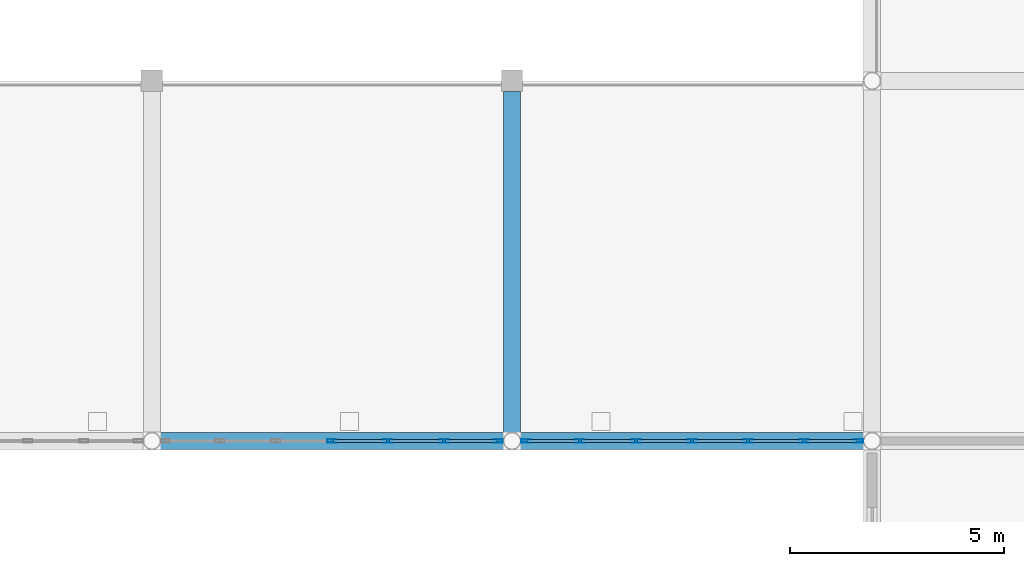
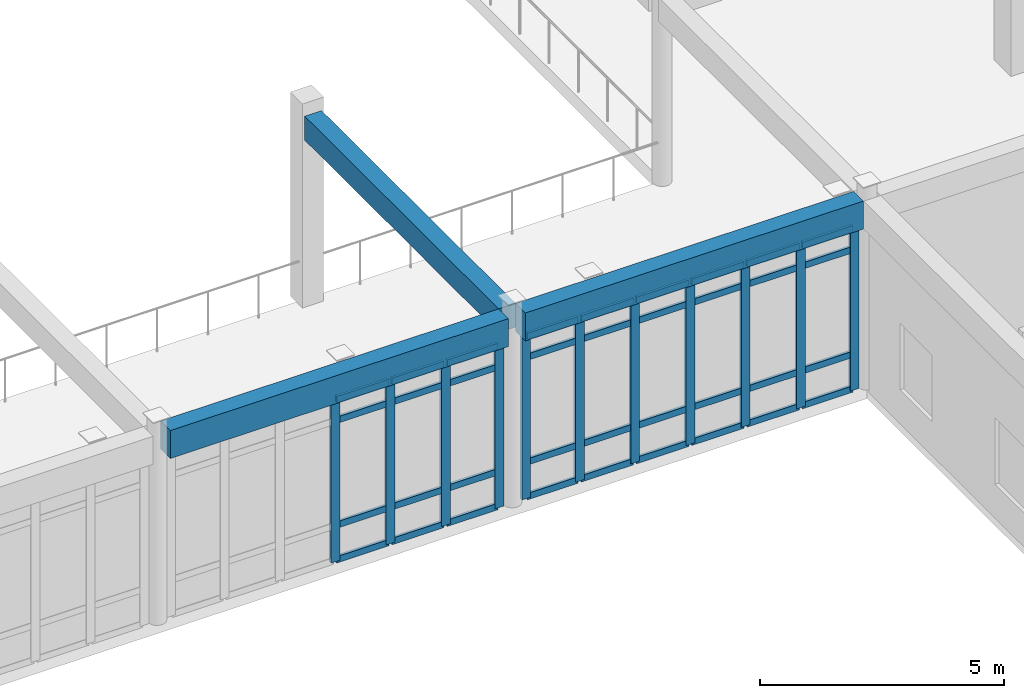
# One storey, part 21 of 134: 47 members, 3 beams, 2 elements without a shape of their own.
"""IFC4 building model written with IfcOpenShell, lengths in metres."""

from ifc_helpers import new_model, si_unit, direction, frame, origin, origin_2d, place, context, subcontext, project, spatial, rectangle, hollow_rectangle, extrude, material, layer, layer_set, material_profile, profile_set, type_object, element, aggregate, save


model = new_model("IFC4")

# Units and contexts
model_context = context("Model", 3, precision=1e-05, world=origin(), true_north=direction((0.0, 1.0)))
body_context = subcontext(model_context, "Body", "Model", "MODEL_VIEW")
ifc_project = project(units=[si_unit("LENGTHUNIT", "METRE"), si_unit("AREAUNIT", "SQUARE_METRE"), si_unit("VOLUMEUNIT", "CUBIC_METRE"), si_unit("PLANEANGLEUNIT", "RADIAN"), si_unit("MASSUNIT", "GRAM", prefix="KILO")], contexts=[model_context])

# Site, building, storey
site_placement = place(None, origin())
site = spatial("IfcSite", under=ifc_project, at=site_placement, CompositionType="ELEMENT")
building_placement = place(site_placement, origin())
building = spatial("IfcBuilding", under=site, at=building_placement, Name="Bramfleet General Hospital", CompositionType="ELEMENT")
storey_placement = place(building_placement, frame((0.0, 0.0, 9.300048828125)))
storey = spatial("IfcBuildingStorey", under=building, at=storey_placement, Name="L02", CompositionType="ELEMENT", Elevation=9.300048828125)

# Beams
ifc_material_1 = material(Name="Concrete C35/45", Category="concrete")
ifc_material_profile_1 = material_profile(ifc_material_1, rectangle(XDim=0.39990234375, YDim=0.60009765625, at=origin_2d()), Name="RC BM 600x400")
ifc_profile_set_1 = profile_set([ifc_material_profile_1], Name="Concrete C35/45")
beam_type_1 = type_object("IfcBeamType", Name="BM-RC600", PredefinedType="BEAM", material=ifc_profile_set_1)
beam_placement = place(storey_placement, frame((84.0, 17.003173828125, 4.47998046875), z_axis=(0.0, 1.0, 0.0), x_axis=(-1.0, 0.0, 0.0)))
element("IfcBeam", 1, at=beam_placement, inside=storey, type_object=beam_type_1, Name="L02 Grid Beam Y 10-02", PredefinedType="BEAM", context=body_context, shape_type="SweptSolid", body=[
    extrude(rectangle(XDim=0.39990234375, YDim=0.60009765625, at=origin_2d()), origin(), (0.0, 0.0, 1.0), 7.94677734375),
])
ifc_material_profile_2 = material_profile(ifc_material_1, rectangle(XDim=0.39990234375, YDim=0.699951171875, at=origin_2d()), Name="RC SP 700x400")
ifc_profile_set_2 = profile_set([ifc_material_profile_2], Name="Concrete C35/45")
beam_type_2 = type_object("IfcBeamType", Name="BM-SP700", PredefinedType="SPANDREL", material=ifc_profile_set_2)
for number, where, z_axis, x_axis, name in (
    (2, (75.80322265625, 16.800048828125, 4.429931640625), (1.0, 0.0, 0.0), (0.0, 1.0, 0.0), "L02 Grid Beam X 09-02"),
    (3, (84.203125, 16.800048828125, 4.429931640625), (1.0, 0.0, 0.0), (0.0, 1.0, 0.0), "L02 Grid Beam X 10-02"),
):
    element("IfcBeam", number, at=place(storey_placement, frame(where, z_axis=z_axis, x_axis=x_axis)), inside=storey, type_object=beam_type_2, Name=name, PredefinedType="SPANDREL", context=body_context, shape_type="SweptSolid", body=[
        extrude(rectangle(XDim=0.39990234375, YDim=0.699951171875, at=origin_2d()), origin(), (0.0, 0.0, 1.0), 7.99365234375),
    ])

# Curtain wall, members
ifc_material_2 = material(Name="Anodised aluminium and low-E triple glazing", Category="aluminium")
ifc_layer_1 = layer(ifc_material_2, 0.179931640625, Name="CWT-CW-03")
ifc_layer_set_1 = layer_set([ifc_layer_1], Name="Anodised aluminium and low-E triple glazing")
curtain_wall_type_1 = type_object("IfcCurtainWallType", Name="CWT-CW-03", PredefinedType="USERDEFINED", material=ifc_layer_set_1)
curtain_wall_1_placement = place(storey_placement, origin())
curtain_wall_1 = element("IfcCurtainWall", 4, at=curtain_wall_1_placement, inside=storey, type_object=curtain_wall_type_1, Name="L02 Curtain Wall 129", ObjectType="Unitised curtain wall", PredefinedType="USERDEFINED")
ifc_material_3 = material(Name="Anodised aluminium EN AW-6060", Category="aluminium")
ifc_material_profile_3 = material_profile(ifc_material_3, hollow_rectangle(XDim=0.074951171875, YDim=0.2099609375, WallThickness=0.00439453125, at=origin_2d()), Name="ALU 210x75x4.5")
ifc_profile_set_3 = profile_set([ifc_material_profile_3], Name="Anodised aluminium EN AW-6060")
member_type_1 = type_object("IfcMemberType", Name="CWM-ALU210", PredefinedType="MULLION", material=ifc_profile_set_3)
member_1_placement = place(storey_placement, frame((92.08447265625, 16.800048828125, 0.0), z_axis=(0.0, 0.0, 1.0), x_axis=(0.0, -1.0, 0.0)))
member_1 = element("IfcMember", 5, at=member_1_placement, type_object=member_type_1, Name="CW-03 mullion 1", PredefinedType="MULLION", context=body_context, shape_type="SweptSolid", body=[
    extrude(hollow_rectangle(XDim=0.074951171875, YDim=0.2099609375, WallThickness=0.00439453125, at=origin_2d()), origin(), (0.0, 0.0, 1.0), 4.070068359375),
])
member_2_placement = place(storey_placement, frame((90.814697265625, 16.800048828125, 0.0), z_axis=(0.0, 0.0, 1.0), x_axis=(0.0, -1.0, 0.0)))
member_2 = element("IfcMember", 6, at=member_2_placement, type_object=member_type_1, Name="CW-03 mullion 2", PredefinedType="MULLION", context=body_context, shape_type="SweptSolid", body=[
    extrude(hollow_rectangle(XDim=0.074951171875, YDim=0.2099609375, WallThickness=0.00439453125, at=origin_2d()), origin(), (0.0, 0.0, 1.0), 4.070068359375),
])
member_3_placement = place(storey_placement, frame((89.50732421875, 16.800048828125, 0.0), z_axis=(0.0, 0.0, 1.0), x_axis=(0.0, -1.0, 0.0)))
member_3 = element("IfcMember", 7, at=member_3_placement, type_object=member_type_1, Name="CW-03 mullion 3", PredefinedType="MULLION", context=body_context, shape_type="SweptSolid", body=[
    extrude(hollow_rectangle(XDim=0.074951171875, YDim=0.2099609375, WallThickness=0.00439453125, at=origin_2d()), origin(), (0.0, 0.0, 1.0), 4.070068359375),
])
member_4_placement = place(storey_placement, frame((88.199951171875, 16.800048828125, 0.0), z_axis=(0.0, 0.0, 1.0), x_axis=(0.0, -1.0, 0.0)))
member_4 = element("IfcMember", 8, at=member_4_placement, type_object=member_type_1, Name="CW-03 mullion 4", PredefinedType="MULLION", context=body_context, shape_type="SweptSolid", body=[
    extrude(hollow_rectangle(XDim=0.074951171875, YDim=0.2099609375, WallThickness=0.00439453125, at=origin_2d()), origin(), (0.0, 0.0, 1.0), 4.070068359375),
])
member_5_placement = place(storey_placement, frame((86.892578125, 16.800048828125, 0.0), z_axis=(0.0, 0.0, 1.0), x_axis=(0.0, -1.0, 0.0)))
member_5 = element("IfcMember", 9, at=member_5_placement, type_object=member_type_1, Name="CW-03 mullion 5", PredefinedType="MULLION", context=body_context, shape_type="SweptSolid", body=[
    extrude(hollow_rectangle(XDim=0.074951171875, YDim=0.2099609375, WallThickness=0.00439453125, at=origin_2d()), origin(), (0.0, 0.0, 1.0), 4.070068359375),
])
member_6_placement = place(storey_placement, frame((85.58544921875, 16.800048828125, 0.0), z_axis=(0.0, 0.0, 1.0), x_axis=(0.0, -1.0, 0.0)))
member_6 = element("IfcMember", 10, at=member_6_placement, type_object=member_type_1, Name="CW-03 mullion 6", PredefinedType="MULLION", context=body_context, shape_type="SweptSolid", body=[
    extrude(hollow_rectangle(XDim=0.074951171875, YDim=0.2099609375, WallThickness=0.00439453125, at=origin_2d()), origin(), (0.0, 0.0, 1.0), 4.070068359375),
])
member_7_placement = place(storey_placement, frame((84.3154296875, 16.800048828125, 0.0), z_axis=(0.0, 0.0, 1.0), x_axis=(0.0, -1.0, 0.0)))
member_7 = element("IfcMember", 11, at=member_7_placement, type_object=member_type_1, Name="CW-03 mullion 7", PredefinedType="MULLION", context=body_context, shape_type="SweptSolid", body=[
    extrude(hollow_rectangle(XDim=0.074951171875, YDim=0.2099609375, WallThickness=0.00439453125, at=origin_2d()), origin(), (0.0, 0.0, 1.0), 4.070068359375),
])

ifc_layer_2 = layer(ifc_material_2, 0.179931640625, Name="CWT-CW-04")
ifc_layer_set_2 = layer_set([ifc_layer_2], Name="Anodised aluminium and low-E triple glazing")
curtain_wall_type_2 = type_object("IfcCurtainWallType", Name="CWT-CW-04", PredefinedType="USERDEFINED", material=ifc_layer_set_2)
curtain_wall_2_placement = place(storey_placement, origin())
curtain_wall_2 = element("IfcCurtainWall", 12, at=curtain_wall_2_placement, inside=storey, type_object=curtain_wall_type_2, Name="L02 Curtain Wall 130", ObjectType="Unitised curtain wall", PredefinedType="USERDEFINED")
member_8_placement = place(storey_placement, frame((83.6845703125, 16.800048828125, 0.0), z_axis=(0.0, 0.0, 1.0), x_axis=(0.0, -1.0, 0.0)))
member_8 = element("IfcMember", 13, at=member_8_placement, type_object=member_type_1, Name="CW-04 mullion 1", PredefinedType="MULLION", context=body_context, shape_type="SweptSolid", body=[
    extrude(hollow_rectangle(XDim=0.074951171875, YDim=0.2099609375, WallThickness=0.00439453125, at=origin_2d()), origin(), (0.0, 0.0, 1.0), 4.070068359375),
])
member_9_placement = place(storey_placement, frame((82.41455078125, 16.800048828125, 0.0), z_axis=(0.0, 0.0, 1.0), x_axis=(0.0, -1.0, 0.0)))
member_9 = element("IfcMember", 14, at=member_9_placement, type_object=member_type_1, Name="CW-04 mullion 2", PredefinedType="MULLION", context=body_context, shape_type="SweptSolid", body=[
    extrude(hollow_rectangle(XDim=0.074951171875, YDim=0.2099609375, WallThickness=0.00439453125, at=origin_2d()), origin(), (0.0, 0.0, 1.0), 4.070068359375),
])
member_10_placement = place(storey_placement, frame((81.107421875, 16.800048828125, 0.0), z_axis=(0.0, 0.0, 1.0), x_axis=(0.0, -1.0, 0.0)))
member_10 = element("IfcMember", 15, at=member_10_placement, type_object=member_type_1, Name="CW-04 mullion 3", PredefinedType="MULLION", context=body_context, shape_type="SweptSolid", body=[
    extrude(hollow_rectangle(XDim=0.074951171875, YDim=0.2099609375, WallThickness=0.00439453125, at=origin_2d()), origin(), (0.0, 0.0, 1.0), 4.070068359375),
])
member_11_placement = place(storey_placement, frame((79.800048828125, 16.800048828125, 0.0), z_axis=(0.0, 0.0, 1.0), x_axis=(0.0, -1.0, 0.0)))
member_11 = element("IfcMember", 16, at=member_11_placement, type_object=member_type_1, Name="CW-04 mullion 4", PredefinedType="MULLION", context=body_context, shape_type="SweptSolid", body=[
    extrude(hollow_rectangle(XDim=0.074951171875, YDim=0.2099609375, WallThickness=0.00439453125, at=origin_2d()), origin(), (0.0, 0.0, 1.0), 4.070068359375),
])

# Member
ifc_material_profile_4 = material_profile(ifc_material_3, hollow_rectangle(XDim=0.06494140625, YDim=0.159912109375, WallThickness=0.00390625, at=origin_2d()), Name="ALU 160x65x4.0")
ifc_profile_set_4 = profile_set([ifc_material_profile_4], Name="Anodised aluminium EN AW-6060")
member_type_2 = type_object("IfcMemberType", Name="CWT-ALU160", PredefinedType="USERDEFINED", material=ifc_profile_set_4)
member_12_placement = place(storey_placement, frame((92.047119140625, 16.800048828125, 0.032470703125), z_axis=(-1.0, 0.0, 0.0), x_axis=(0.0, -1.0, 0.0)))
member_12 = element("IfcMember", 17, at=member_12_placement, type_object=member_type_2, Name="CW-03 transom 1.1", ObjectType="TRANSOM", PredefinedType="USERDEFINED", context=body_context, shape_type="SweptSolid", body=[
    extrude(hollow_rectangle(XDim=0.06494140625, YDim=0.159912109375, WallThickness=0.00390625, at=origin_2d()), origin(), (0.0, 0.0, 1.0), 1.195068359375),
])

member_13_placement = place(storey_placement, frame((92.047119140625, 16.800048828125, 0.89990234375), z_axis=(-1.0, 0.0, 0.0), x_axis=(0.0, -1.0, 0.0)))
member_13 = element("IfcMember", 18, at=member_13_placement, type_object=member_type_2, Name="CW-03 transom 1.2", ObjectType="TRANSOM", PredefinedType="USERDEFINED", context=body_context, shape_type="SweptSolid", body=[
    extrude(hollow_rectangle(XDim=0.06494140625, YDim=0.159912109375, WallThickness=0.00390625, at=origin_2d()), origin(), (0.0, 0.0, 1.0), 1.195068359375),
])

member_14_placement = place(storey_placement, frame((92.047119140625, 16.800048828125, 3.52001953125), z_axis=(-1.0, 0.0, 0.0), x_axis=(0.0, -1.0, 0.0)))
member_14 = element("IfcMember", 19, at=member_14_placement, type_object=member_type_2, Name="CW-03 transom 1.3", ObjectType="TRANSOM", PredefinedType="USERDEFINED", context=body_context, shape_type="SweptSolid", body=[
    extrude(hollow_rectangle(XDim=0.06494140625, YDim=0.159912109375, WallThickness=0.00390625, at=origin_2d()), origin(), (0.0, 0.0, 1.0), 1.195068359375),
])

member_15_placement = place(storey_placement, frame((92.047119140625, 16.800048828125, 4.037353515625), z_axis=(-1.0, 0.0, 0.0), x_axis=(0.0, -1.0, 0.0)))
member_15 = element("IfcMember", 20, at=member_15_placement, type_object=member_type_2, Name="CW-03 transom 1.4", ObjectType="TRANSOM", PredefinedType="USERDEFINED", context=body_context, shape_type="SweptSolid", body=[
    extrude(hollow_rectangle(XDim=0.06494140625, YDim=0.159912109375, WallThickness=0.00390625, at=origin_2d()), origin(), (0.0, 0.0, 1.0), 1.195068359375),
])

member_16_placement = place(storey_placement, frame((90.777099609375, 16.800048828125, 0.032470703125), z_axis=(-1.0, 0.0, 0.0), x_axis=(0.0, -1.0, 0.0)))
member_16 = element("IfcMember", 21, at=member_16_placement, type_object=member_type_2, Name="CW-03 transom 2.1", ObjectType="TRANSOM", PredefinedType="USERDEFINED", context=body_context, shape_type="SweptSolid", body=[
    extrude(hollow_rectangle(XDim=0.06494140625, YDim=0.159912109375, WallThickness=0.00390625, at=origin_2d()), origin(), (0.0, 0.0, 1.0), 1.232177734375),
])

member_17_placement = place(storey_placement, frame((90.777099609375, 16.800048828125, 0.89990234375), z_axis=(-1.0, 0.0, 0.0), x_axis=(0.0, -1.0, 0.0)))
member_17 = element("IfcMember", 22, at=member_17_placement, type_object=member_type_2, Name="CW-03 transom 2.2", ObjectType="TRANSOM", PredefinedType="USERDEFINED", context=body_context, shape_type="SweptSolid", body=[
    extrude(hollow_rectangle(XDim=0.06494140625, YDim=0.159912109375, WallThickness=0.00390625, at=origin_2d()), origin(), (0.0, 0.0, 1.0), 1.232177734375),
])

member_18_placement = place(storey_placement, frame((90.777099609375, 16.800048828125, 3.52001953125), z_axis=(-1.0, 0.0, 0.0), x_axis=(0.0, -1.0, 0.0)))
member_18 = element("IfcMember", 23, at=member_18_placement, type_object=member_type_2, Name="CW-03 transom 2.3", ObjectType="TRANSOM", PredefinedType="USERDEFINED", context=body_context, shape_type="SweptSolid", body=[
    extrude(hollow_rectangle(XDim=0.06494140625, YDim=0.159912109375, WallThickness=0.00390625, at=origin_2d()), origin(), (0.0, 0.0, 1.0), 1.232177734375),
])

member_19_placement = place(storey_placement, frame((90.777099609375, 16.800048828125, 4.037353515625), z_axis=(-1.0, 0.0, 0.0), x_axis=(0.0, -1.0, 0.0)))
member_19 = element("IfcMember", 24, at=member_19_placement, type_object=member_type_2, Name="CW-03 transom 2.4", ObjectType="TRANSOM", PredefinedType="USERDEFINED", context=body_context, shape_type="SweptSolid", body=[
    extrude(hollow_rectangle(XDim=0.06494140625, YDim=0.159912109375, WallThickness=0.00390625, at=origin_2d()), origin(), (0.0, 0.0, 1.0), 1.232177734375),
])

member_20_placement = place(storey_placement, frame((89.4697265625, 16.800048828125, 0.032470703125), z_axis=(-1.0, 0.0, 0.0), x_axis=(0.0, -1.0, 0.0)))
member_20 = element("IfcMember", 25, at=member_20_placement, type_object=member_type_2, Name="CW-03 transom 3.1", ObjectType="TRANSOM", PredefinedType="USERDEFINED", context=body_context, shape_type="SweptSolid", body=[
    extrude(hollow_rectangle(XDim=0.06494140625, YDim=0.159912109375, WallThickness=0.00390625, at=origin_2d()), origin(), (0.0, 0.0, 1.0), 1.232177734375),
])

member_21_placement = place(storey_placement, frame((89.4697265625, 16.800048828125, 0.89990234375), z_axis=(-1.0, 0.0, 0.0), x_axis=(0.0, -1.0, 0.0)))
member_21 = element("IfcMember", 26, at=member_21_placement, type_object=member_type_2, Name="CW-03 transom 3.2", ObjectType="TRANSOM", PredefinedType="USERDEFINED", context=body_context, shape_type="SweptSolid", body=[
    extrude(hollow_rectangle(XDim=0.06494140625, YDim=0.159912109375, WallThickness=0.00390625, at=origin_2d()), origin(), (0.0, 0.0, 1.0), 1.232177734375),
])

member_22_placement = place(storey_placement, frame((89.4697265625, 16.800048828125, 3.52001953125), z_axis=(-1.0, 0.0, 0.0), x_axis=(0.0, -1.0, 0.0)))
member_22 = element("IfcMember", 27, at=member_22_placement, type_object=member_type_2, Name="CW-03 transom 3.3", ObjectType="TRANSOM", PredefinedType="USERDEFINED", context=body_context, shape_type="SweptSolid", body=[
    extrude(hollow_rectangle(XDim=0.06494140625, YDim=0.159912109375, WallThickness=0.00390625, at=origin_2d()), origin(), (0.0, 0.0, 1.0), 1.232177734375),
])

member_23_placement = place(storey_placement, frame((89.4697265625, 16.800048828125, 4.037353515625), z_axis=(-1.0, 0.0, 0.0), x_axis=(0.0, -1.0, 0.0)))
member_23 = element("IfcMember", 28, at=member_23_placement, type_object=member_type_2, Name="CW-03 transom 3.4", ObjectType="TRANSOM", PredefinedType="USERDEFINED", context=body_context, shape_type="SweptSolid", body=[
    extrude(hollow_rectangle(XDim=0.06494140625, YDim=0.159912109375, WallThickness=0.00390625, at=origin_2d()), origin(), (0.0, 0.0, 1.0), 1.232177734375),
])

member_24_placement = place(storey_placement, frame((88.16259765625, 16.800048828125, 0.032470703125), z_axis=(-1.0, 0.0, 0.0), x_axis=(0.0, -1.0, 0.0)))
member_24 = element("IfcMember", 29, at=member_24_placement, type_object=member_type_2, Name="CW-03 transom 4.1", ObjectType="TRANSOM", PredefinedType="USERDEFINED", context=body_context, shape_type="SweptSolid", body=[
    extrude(hollow_rectangle(XDim=0.06494140625, YDim=0.159912109375, WallThickness=0.00390625, at=origin_2d()), origin(), (0.0, 0.0, 1.0), 1.232421875),
])

member_25_placement = place(storey_placement, frame((88.16259765625, 16.800048828125, 0.89990234375), z_axis=(-1.0, 0.0, 0.0), x_axis=(0.0, -1.0, 0.0)))
member_25 = element("IfcMember", 30, at=member_25_placement, type_object=member_type_2, Name="CW-03 transom 4.2", ObjectType="TRANSOM", PredefinedType="USERDEFINED", context=body_context, shape_type="SweptSolid", body=[
    extrude(hollow_rectangle(XDim=0.06494140625, YDim=0.159912109375, WallThickness=0.00390625, at=origin_2d()), origin(), (0.0, 0.0, 1.0), 1.232421875),
])

member_26_placement = place(storey_placement, frame((88.16259765625, 16.800048828125, 3.52001953125), z_axis=(-1.0, 0.0, 0.0), x_axis=(0.0, -1.0, 0.0)))
member_26 = element("IfcMember", 31, at=member_26_placement, type_object=member_type_2, Name="CW-03 transom 4.3", ObjectType="TRANSOM", PredefinedType="USERDEFINED", context=body_context, shape_type="SweptSolid", body=[
    extrude(hollow_rectangle(XDim=0.06494140625, YDim=0.159912109375, WallThickness=0.00390625, at=origin_2d()), origin(), (0.0, 0.0, 1.0), 1.232421875),
])

member_27_placement = place(storey_placement, frame((88.16259765625, 16.800048828125, 4.037353515625), z_axis=(-1.0, 0.0, 0.0), x_axis=(0.0, -1.0, 0.0)))
member_27 = element("IfcMember", 32, at=member_27_placement, type_object=member_type_2, Name="CW-03 transom 4.4", ObjectType="TRANSOM", PredefinedType="USERDEFINED", context=body_context, shape_type="SweptSolid", body=[
    extrude(hollow_rectangle(XDim=0.06494140625, YDim=0.159912109375, WallThickness=0.00390625, at=origin_2d()), origin(), (0.0, 0.0, 1.0), 1.232421875),
])

member_28_placement = place(storey_placement, frame((86.855224609375, 16.800048828125, 0.032470703125), z_axis=(-1.0, 0.0, 0.0), x_axis=(0.0, -1.0, 0.0)))
member_28 = element("IfcMember", 33, at=member_28_placement, type_object=member_type_2, Name="CW-03 transom 5.1", ObjectType="TRANSOM", PredefinedType="USERDEFINED", context=body_context, shape_type="SweptSolid", body=[
    extrude(hollow_rectangle(XDim=0.06494140625, YDim=0.159912109375, WallThickness=0.00390625, at=origin_2d()), origin(), (0.0, 0.0, 1.0), 1.232421875),
])

member_29_placement = place(storey_placement, frame((86.855224609375, 16.800048828125, 0.89990234375), z_axis=(-1.0, 0.0, 0.0), x_axis=(0.0, -1.0, 0.0)))
member_29 = element("IfcMember", 34, at=member_29_placement, type_object=member_type_2, Name="CW-03 transom 5.2", ObjectType="TRANSOM", PredefinedType="USERDEFINED", context=body_context, shape_type="SweptSolid", body=[
    extrude(hollow_rectangle(XDim=0.06494140625, YDim=0.159912109375, WallThickness=0.00390625, at=origin_2d()), origin(), (0.0, 0.0, 1.0), 1.232421875),
])

member_30_placement = place(storey_placement, frame((86.855224609375, 16.800048828125, 3.52001953125), z_axis=(-1.0, 0.0, 0.0), x_axis=(0.0, -1.0, 0.0)))
member_30 = element("IfcMember", 35, at=member_30_placement, type_object=member_type_2, Name="CW-03 transom 5.3", ObjectType="TRANSOM", PredefinedType="USERDEFINED", context=body_context, shape_type="SweptSolid", body=[
    extrude(hollow_rectangle(XDim=0.06494140625, YDim=0.159912109375, WallThickness=0.00390625, at=origin_2d()), origin(), (0.0, 0.0, 1.0), 1.232421875),
])

member_31_placement = place(storey_placement, frame((86.855224609375, 16.800048828125, 4.037353515625), z_axis=(-1.0, 0.0, 0.0), x_axis=(0.0, -1.0, 0.0)))
member_31 = element("IfcMember", 36, at=member_31_placement, type_object=member_type_2, Name="CW-03 transom 5.4", ObjectType="TRANSOM", PredefinedType="USERDEFINED", context=body_context, shape_type="SweptSolid", body=[
    extrude(hollow_rectangle(XDim=0.06494140625, YDim=0.159912109375, WallThickness=0.00390625, at=origin_2d()), origin(), (0.0, 0.0, 1.0), 1.232421875),
])

member_32_placement = place(storey_placement, frame((85.5478515625, 16.800048828125, 0.032470703125), z_axis=(-1.0, 0.0, 0.0), x_axis=(0.0, -1.0, 0.0)))
member_32 = element("IfcMember", 37, at=member_32_placement, type_object=member_type_2, Name="CW-03 transom 6.1", ObjectType="TRANSOM", PredefinedType="USERDEFINED", context=body_context, shape_type="SweptSolid", body=[
    extrude(hollow_rectangle(XDim=0.06494140625, YDim=0.159912109375, WallThickness=0.00390625, at=origin_2d()), origin(), (0.0, 0.0, 1.0), 1.19482421875),
])

member_33_placement = place(storey_placement, frame((85.5478515625, 16.800048828125, 0.89990234375), z_axis=(-1.0, 0.0, 0.0), x_axis=(0.0, -1.0, 0.0)))
member_33 = element("IfcMember", 38, at=member_33_placement, type_object=member_type_2, Name="CW-03 transom 6.2", ObjectType="TRANSOM", PredefinedType="USERDEFINED", context=body_context, shape_type="SweptSolid", body=[
    extrude(hollow_rectangle(XDim=0.06494140625, YDim=0.159912109375, WallThickness=0.00390625, at=origin_2d()), origin(), (0.0, 0.0, 1.0), 1.19482421875),
])

member_34_placement = place(storey_placement, frame((85.5478515625, 16.800048828125, 3.52001953125), z_axis=(-1.0, 0.0, 0.0), x_axis=(0.0, -1.0, 0.0)))
member_34 = element("IfcMember", 39, at=member_34_placement, type_object=member_type_2, Name="CW-03 transom 6.3", ObjectType="TRANSOM", PredefinedType="USERDEFINED", context=body_context, shape_type="SweptSolid", body=[
    extrude(hollow_rectangle(XDim=0.06494140625, YDim=0.159912109375, WallThickness=0.00390625, at=origin_2d()), origin(), (0.0, 0.0, 1.0), 1.19482421875),
])

member_35_placement = place(storey_placement, frame((85.5478515625, 16.800048828125, 4.037353515625), z_axis=(-1.0, 0.0, 0.0), x_axis=(0.0, -1.0, 0.0)))
member_35 = element("IfcMember", 40, at=member_35_placement, type_object=member_type_2, Name="CW-03 transom 6.4", ObjectType="TRANSOM", PredefinedType="USERDEFINED", context=body_context, shape_type="SweptSolid", body=[
    extrude(hollow_rectangle(XDim=0.06494140625, YDim=0.159912109375, WallThickness=0.00390625, at=origin_2d()), origin(), (0.0, 0.0, 1.0), 1.19482421875),
])

aggregate(curtain_wall_1, [member_1, member_2, member_3, member_4, member_5, member_6, member_7, member_12, member_13, member_14, member_15, member_16, member_17, member_18, member_19, member_20, member_21, member_22, member_23, member_24, member_25, member_26, member_27, member_28, member_29, member_30, member_31, member_32, member_33, member_34, member_35])

member_36_placement = place(storey_placement, frame((83.64697265625, 16.800048828125, 0.032470703125), z_axis=(-1.0, 0.0, 0.0), x_axis=(0.0, -1.0, 0.0)))
member_36 = element("IfcMember", 41, at=member_36_placement, type_object=member_type_2, Name="CW-04 transom 1.1", ObjectType="TRANSOM", PredefinedType="USERDEFINED", context=body_context, shape_type="SweptSolid", body=[
    extrude(hollow_rectangle(XDim=0.06494140625, YDim=0.159912109375, WallThickness=0.00390625, at=origin_2d()), origin(), (0.0, 0.0, 1.0), 1.19482421875),
])

member_37_placement = place(storey_placement, frame((83.64697265625, 16.800048828125, 0.89990234375), z_axis=(-1.0, 0.0, 0.0), x_axis=(0.0, -1.0, 0.0)))
member_37 = element("IfcMember", 42, at=member_37_placement, type_object=member_type_2, Name="CW-04 transom 1.2", ObjectType="TRANSOM", PredefinedType="USERDEFINED", context=body_context, shape_type="SweptSolid", body=[
    extrude(hollow_rectangle(XDim=0.06494140625, YDim=0.159912109375, WallThickness=0.00390625, at=origin_2d()), origin(), (0.0, 0.0, 1.0), 1.19482421875),
])

member_38_placement = place(storey_placement, frame((83.64697265625, 16.800048828125, 3.52001953125), z_axis=(-1.0, 0.0, 0.0), x_axis=(0.0, -1.0, 0.0)))
member_38 = element("IfcMember", 43, at=member_38_placement, type_object=member_type_2, Name="CW-04 transom 1.3", ObjectType="TRANSOM", PredefinedType="USERDEFINED", context=body_context, shape_type="SweptSolid", body=[
    extrude(hollow_rectangle(XDim=0.06494140625, YDim=0.159912109375, WallThickness=0.00390625, at=origin_2d()), origin(), (0.0, 0.0, 1.0), 1.19482421875),
])

member_39_placement = place(storey_placement, frame((83.64697265625, 16.800048828125, 4.037353515625), z_axis=(-1.0, 0.0, 0.0), x_axis=(0.0, -1.0, 0.0)))
member_39 = element("IfcMember", 44, at=member_39_placement, type_object=member_type_2, Name="CW-04 transom 1.4", ObjectType="TRANSOM", PredefinedType="USERDEFINED", context=body_context, shape_type="SweptSolid", body=[
    extrude(hollow_rectangle(XDim=0.06494140625, YDim=0.159912109375, WallThickness=0.00390625, at=origin_2d()), origin(), (0.0, 0.0, 1.0), 1.19482421875),
])

member_40_placement = place(storey_placement, frame((82.377197265625, 16.800048828125, 0.032470703125), z_axis=(-1.0, 0.0, 0.0), x_axis=(0.0, -1.0, 0.0)))
member_40 = element("IfcMember", 45, at=member_40_placement, type_object=member_type_2, Name="CW-04 transom 2.1", ObjectType="TRANSOM", PredefinedType="USERDEFINED", context=body_context, shape_type="SweptSolid", body=[
    extrude(hollow_rectangle(XDim=0.06494140625, YDim=0.159912109375, WallThickness=0.00390625, at=origin_2d()), origin(), (0.0, 0.0, 1.0), 1.232421875),
])

member_41_placement = place(storey_placement, frame((82.377197265625, 16.800048828125, 0.89990234375), z_axis=(-1.0, 0.0, 0.0), x_axis=(0.0, -1.0, 0.0)))
member_41 = element("IfcMember", 46, at=member_41_placement, type_object=member_type_2, Name="CW-04 transom 2.2", ObjectType="TRANSOM", PredefinedType="USERDEFINED", context=body_context, shape_type="SweptSolid", body=[
    extrude(hollow_rectangle(XDim=0.06494140625, YDim=0.159912109375, WallThickness=0.00390625, at=origin_2d()), origin(), (0.0, 0.0, 1.0), 1.232421875),
])

member_42_placement = place(storey_placement, frame((82.377197265625, 16.800048828125, 3.52001953125), z_axis=(-1.0, 0.0, 0.0), x_axis=(0.0, -1.0, 0.0)))
member_42 = element("IfcMember", 47, at=member_42_placement, type_object=member_type_2, Name="CW-04 transom 2.3", ObjectType="TRANSOM", PredefinedType="USERDEFINED", context=body_context, shape_type="SweptSolid", body=[
    extrude(hollow_rectangle(XDim=0.06494140625, YDim=0.159912109375, WallThickness=0.00390625, at=origin_2d()), origin(), (0.0, 0.0, 1.0), 1.232421875),
])

member_43_placement = place(storey_placement, frame((82.377197265625, 16.800048828125, 4.037353515625), z_axis=(-1.0, 0.0, 0.0), x_axis=(0.0, -1.0, 0.0)))
member_43 = element("IfcMember", 48, at=member_43_placement, type_object=member_type_2, Name="CW-04 transom 2.4", ObjectType="TRANSOM", PredefinedType="USERDEFINED", context=body_context, shape_type="SweptSolid", body=[
    extrude(hollow_rectangle(XDim=0.06494140625, YDim=0.159912109375, WallThickness=0.00390625, at=origin_2d()), origin(), (0.0, 0.0, 1.0), 1.232421875),
])

member_44_placement = place(storey_placement, frame((81.06982421875, 16.800048828125, 0.032470703125), z_axis=(-1.0, 0.0, 0.0), x_axis=(0.0, -1.0, 0.0)))
member_44 = element("IfcMember", 49, at=member_44_placement, type_object=member_type_2, Name="CW-04 transom 3.1", ObjectType="TRANSOM", PredefinedType="USERDEFINED", context=body_context, shape_type="SweptSolid", body=[
    extrude(hollow_rectangle(XDim=0.06494140625, YDim=0.159912109375, WallThickness=0.00390625, at=origin_2d()), origin(), (0.0, 0.0, 1.0), 1.232421875),
])

member_45_placement = place(storey_placement, frame((81.06982421875, 16.800048828125, 0.89990234375), z_axis=(-1.0, 0.0, 0.0), x_axis=(0.0, -1.0, 0.0)))
member_45 = element("IfcMember", 50, at=member_45_placement, type_object=member_type_2, Name="CW-04 transom 3.2", ObjectType="TRANSOM", PredefinedType="USERDEFINED", context=body_context, shape_type="SweptSolid", body=[
    extrude(hollow_rectangle(XDim=0.06494140625, YDim=0.159912109375, WallThickness=0.00390625, at=origin_2d()), origin(), (0.0, 0.0, 1.0), 1.232421875),
])

member_46_placement = place(storey_placement, frame((81.06982421875, 16.800048828125, 3.52001953125), z_axis=(-1.0, 0.0, 0.0), x_axis=(0.0, -1.0, 0.0)))
member_46 = element("IfcMember", 51, at=member_46_placement, type_object=member_type_2, Name="CW-04 transom 3.3", ObjectType="TRANSOM", PredefinedType="USERDEFINED", context=body_context, shape_type="SweptSolid", body=[
    extrude(hollow_rectangle(XDim=0.06494140625, YDim=0.159912109375, WallThickness=0.00390625, at=origin_2d()), origin(), (0.0, 0.0, 1.0), 1.232421875),
])

member_47_placement = place(storey_placement, frame((81.06982421875, 16.800048828125, 4.037353515625), z_axis=(-1.0, 0.0, 0.0), x_axis=(0.0, -1.0, 0.0)))
member_47 = element("IfcMember", 52, at=member_47_placement, type_object=member_type_2, Name="CW-04 transom 3.4", ObjectType="TRANSOM", PredefinedType="USERDEFINED", context=body_context, shape_type="SweptSolid", body=[
    extrude(hollow_rectangle(XDim=0.06494140625, YDim=0.159912109375, WallThickness=0.00390625, at=origin_2d()), origin(), (0.0, 0.0, 1.0), 1.232421875),
])

aggregate(curtain_wall_2, [member_8, member_9, member_10, member_11, member_36, member_37, member_38, member_39, member_40, member_41, member_42, member_43, member_44, member_45, member_46, member_47])

save(model, "model.ifc")
